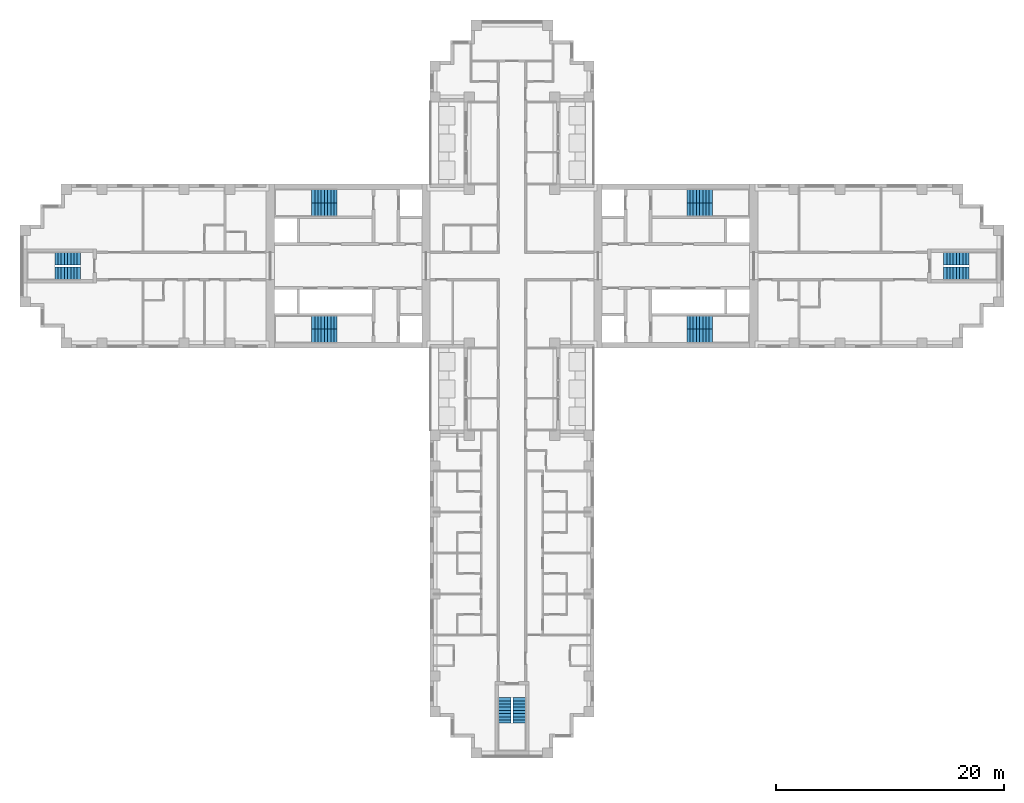
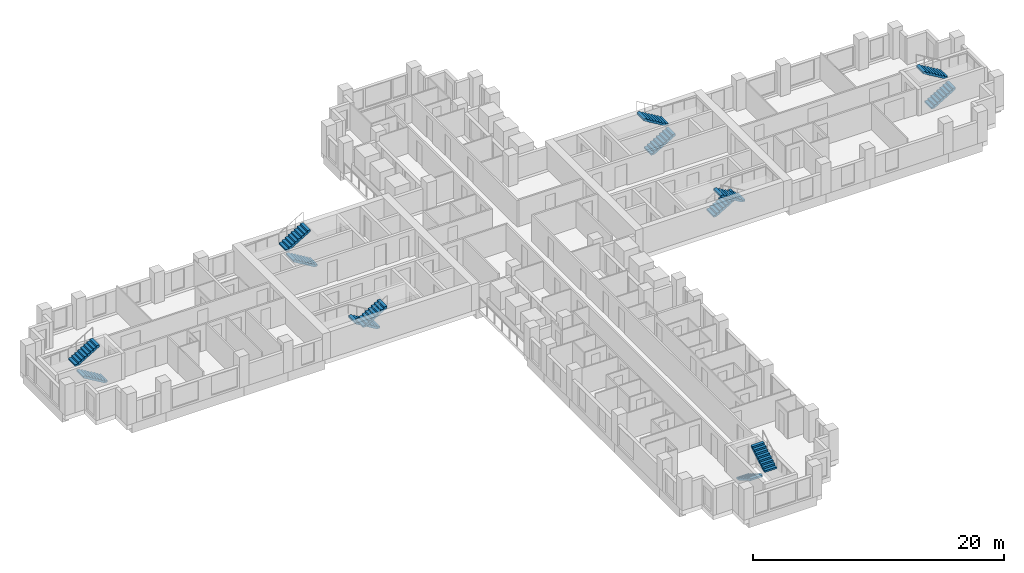
# One storey, part 12 of 14: 14 stair flights, 7 elements without a shape of their own.
"""IFC4 building model written with IfcOpenShell, lengths in metres."""

from ifc_helpers import new_model, si_unit, direction, frame, origin, place, context, subcontext, project, spatial, polyline, outline, extrude, material, type_object, element, aggregate, save


model = new_model("IFC4")

# Units and contexts
model_context = context("Model", 3, precision=1e-05, world=origin(), true_north=direction((0.0, 1.0)))
body_context = subcontext(model_context, "Body", "Model", "MODEL_VIEW")
ifc_project = project(units=[si_unit("LENGTHUNIT", "METRE"), si_unit("AREAUNIT", "SQUARE_METRE"), si_unit("VOLUMEUNIT", "CUBIC_METRE"), si_unit("PLANEANGLEUNIT", "RADIAN"), si_unit("MASSUNIT", "GRAM", prefix="KILO")], contexts=[model_context])

# Site, building, storey
site_placement = place(None, origin())
site = spatial("IfcSite", under=ifc_project, at=site_placement, CompositionType="ELEMENT")
building_placement = place(site_placement, origin())
building = spatial("IfcBuilding", under=site, at=building_placement, Name="Fustian Cross Tower", CompositionType="ELEMENT")
storey_placement = place(building_placement, frame((0.0, 0.0, 72.89990234375)))
storey = spatial("IfcBuildingStorey", under=building, at=storey_placement, Name="L22", CompositionType="ELEMENT", Elevation=72.89990234375)

# Stair, stair flights
ifc_material_1 = material(Name="Concrete C50/60", Category="concrete")
stair_type_1 = type_object("IfcStairType", Name="STAIR 1100 HALF TURN", PredefinedType="HALF_TURN_STAIR", material=ifc_material_1)
stair_1_placement = place(storey_placement, origin())
stair_1 = element("IfcStair", 1, at=stair_1_placement, inside=storey, type_object=stair_type_1, Name="Stair ST6", PredefinedType="HALF_TURN_STAIR")
ifc_material_2 = material(Name="Concrete C50/60", Category="concrete")
stair_flight_type_1 = type_object("IfcStairFlightType", Name="STAIR FLIGHT 1100", PredefinedType="STRAIGHT", material=ifc_material_2)
stair_flight_1_placement = place(storey_placement, frame((-0.64990234375, -37.89990234375, 0.0), z_axis=(0.0, 0.0, 1.0), x_axis=(0.0, -1.0, 0.0)))
stair_flight_1 = element("IfcStairFlight", 2, at=stair_flight_1_placement, type_object=stair_flight_type_1, Name="ST6 flight 1", NumberOfRisers=9, NumberOfTreads=8, PredefinedType="STRAIGHT", RiserHeight=0.166666667, TreadLength=0.28, context=body_context, shape_type="SweptSolid", body=[
    extrude(outline(polyline([(0.0, 0.0), (0.0, 0.166748046875), (0.280029296875, 0.166748046875), (0.280029296875, 0.333251953125), (0.56005859375, 0.333251953125), (0.56005859375, 0.5), (0.840087890625, 0.5), (0.840087890625, 0.666748046875), (1.1201171875, 0.666748046875), (1.1201171875, 0.833251953125), (1.39990234375, 0.833251953125), (1.39990234375, 1.0), (1.679931640625, 1.0), (1.679931640625, 1.166748046875), (1.9599609375, 1.166748046875), (1.9599609375, 1.333251953125), (2.239990234375, 1.333251953125), (2.239990234375, 1.5), (2.239990234375, 1.158935546875), (0.29296875, 0.0), (0.0, 0.0)])), frame((0.0, 0.550048828125, 0.0), z_axis=(0.0, -1.0, 0.0), x_axis=(1.0, 0.0, 0.0)), (0.0, 0.0, 1.0), 1.10009765625),
])
stair_flight_2_placement = place(storey_placement, frame((0.64990234375, -40.139892578125, 1.5), z_axis=(0.0, 0.0, 1.0), x_axis=(0.0, 1.0, 0.0)))
stair_flight_2 = element("IfcStairFlight", 3, at=stair_flight_2_placement, type_object=stair_flight_type_1, Name="ST6 flight 2", NumberOfRisers=9, NumberOfTreads=8, PredefinedType="STRAIGHT", RiserHeight=0.166666667, TreadLength=0.28, context=body_context, shape_type="SweptSolid", body=[
    extrude(outline(polyline([(0.0, 0.0), (0.0, 0.166748046875), (0.280029296875, 0.166748046875), (0.280029296875, 0.333251953125), (0.56005859375, 0.333251953125), (0.56005859375, 0.5), (0.840087890625, 0.5), (0.840087890625, 0.666748046875), (1.1201171875, 0.666748046875), (1.1201171875, 0.833251953125), (1.39990234375, 0.833251953125), (1.39990234375, 1.0), (1.679931640625, 1.0), (1.679931640625, 1.166748046875), (1.9599609375, 1.166748046875), (1.9599609375, 1.333251953125), (2.239990234375, 1.333251953125), (2.239990234375, 1.5), (2.239990234375, 1.158935546875), (0.29296875, 0.0), (0.0, 0.0)])), frame((0.0, 0.550048828125, 0.0), z_axis=(0.0, -1.0, 0.0), x_axis=(1.0, 0.0, 0.0)), (0.0, 0.0, 1.0), 1.10009765625),
])
aggregate(stair_1, [stair_flight_1, stair_flight_2])

stair_2_placement = place(storey_placement, origin())
stair_2 = element("IfcStair", 4, at=stair_2_placement, inside=storey, type_object=stair_type_1, Name="Stair ST8", PredefinedType="HALF_TURN_STAIR")
stair_flight_3_placement = place(storey_placement, frame((37.89990234375, -0.64990234375, 0.0), z_axis=(0.0, 0.0, 1.0), x_axis=(1.0, 0.0, 0.0)))
stair_flight_3 = element("IfcStairFlight", 5, at=stair_flight_3_placement, type_object=stair_flight_type_1, Name="ST8 flight 1", NumberOfRisers=9, NumberOfTreads=8, PredefinedType="STRAIGHT", RiserHeight=0.166666667, TreadLength=0.28, context=body_context, shape_type="SweptSolid", body=[
    extrude(outline(polyline([(0.0, 0.0), (0.0, 0.166748046875), (0.280029296875, 0.166748046875), (0.280029296875, 0.333251953125), (0.56005859375, 0.333251953125), (0.56005859375, 0.5), (0.840087890625, 0.5), (0.840087890625, 0.666748046875), (1.1201171875, 0.666748046875), (1.1201171875, 0.833251953125), (1.39990234375, 0.833251953125), (1.39990234375, 1.0), (1.679931640625, 1.0), (1.679931640625, 1.166748046875), (1.9599609375, 1.166748046875), (1.9599609375, 1.333251953125), (2.239990234375, 1.333251953125), (2.239990234375, 1.5), (2.239990234375, 1.158935546875), (0.29296875, 0.0), (0.0, 0.0)])), frame((0.0, 0.550048828125, 0.0), z_axis=(0.0, -1.0, 0.0), x_axis=(1.0, 0.0, 0.0)), (0.0, 0.0, 1.0), 1.10009765625),
])
stair_flight_4_placement = place(storey_placement, frame((40.139892578125, 0.64990234375, 1.5), z_axis=(0.0, 0.0, 1.0), x_axis=(-1.0, 0.0, 0.0)))
stair_flight_4 = element("IfcStairFlight", 6, at=stair_flight_4_placement, type_object=stair_flight_type_1, Name="ST8 flight 2", NumberOfRisers=9, NumberOfTreads=8, PredefinedType="STRAIGHT", RiserHeight=0.166666667, TreadLength=0.28, context=body_context, shape_type="SweptSolid", body=[
    extrude(outline(polyline([(0.0, 0.0), (0.0, 0.166748046875), (0.280029296875, 0.166748046875), (0.280029296875, 0.333251953125), (0.56005859375, 0.333251953125), (0.56005859375, 0.5), (0.840087890625, 0.5), (0.840087890625, 0.666748046875), (1.1201171875, 0.666748046875), (1.1201171875, 0.833251953125), (1.39990234375, 0.833251953125), (1.39990234375, 1.0), (1.679931640625, 1.0), (1.679931640625, 1.166748046875), (1.9599609375, 1.166748046875), (1.9599609375, 1.333251953125), (2.239990234375, 1.333251953125), (2.239990234375, 1.5), (2.239990234375, 1.158935546875), (0.29296875, 0.0), (0.0, 0.0)])), frame((0.0, 0.550048828125, 0.0), z_axis=(0.0, -1.0, 0.0), x_axis=(1.0, 0.0, 0.0)), (0.0, 0.0, 1.0), 1.10009765625),
])
aggregate(stair_2, [stair_flight_3, stair_flight_4])

stair_3_placement = place(storey_placement, origin())
stair_3 = element("IfcStair", 7, at=stair_3_placement, inside=storey, type_object=stair_type_1, Name="Stair ST9", PredefinedType="HALF_TURN_STAIR")
stair_flight_5_placement = place(storey_placement, frame((-37.89990234375, -0.64990234375, 0.0), z_axis=(0.0, 0.0, 1.0), x_axis=(-1.0, 0.0, 0.0)))
stair_flight_5 = element("IfcStairFlight", 8, at=stair_flight_5_placement, type_object=stair_flight_type_1, Name="ST9 flight 1", NumberOfRisers=9, NumberOfTreads=8, PredefinedType="STRAIGHT", RiserHeight=0.166666667, TreadLength=0.28, context=body_context, shape_type="SweptSolid", body=[
    extrude(outline(polyline([(0.0, 0.0), (0.0, 0.166748046875), (0.280029296875, 0.166748046875), (0.280029296875, 0.333251953125), (0.56005859375, 0.333251953125), (0.56005859375, 0.5), (0.840087890625, 0.5), (0.840087890625, 0.666748046875), (1.1201171875, 0.666748046875), (1.1201171875, 0.833251953125), (1.39990234375, 0.833251953125), (1.39990234375, 1.0), (1.679931640625, 1.0), (1.679931640625, 1.166748046875), (1.9599609375, 1.166748046875), (1.9599609375, 1.333251953125), (2.239990234375, 1.333251953125), (2.239990234375, 1.5), (2.239990234375, 1.158935546875), (0.29296875, 0.0), (0.0, 0.0)])), frame((0.0, 0.550048828125, 0.0), z_axis=(0.0, -1.0, 0.0), x_axis=(1.0, 0.0, 0.0)), (0.0, 0.0, 1.0), 1.10009765625),
])
stair_flight_6_placement = place(storey_placement, frame((-40.139892578125, 0.64990234375, 1.5), z_axis=(0.0, 0.0, 1.0), x_axis=(1.0, 0.0, 0.0)))
stair_flight_6 = element("IfcStairFlight", 9, at=stair_flight_6_placement, type_object=stair_flight_type_1, Name="ST9 flight 2", NumberOfRisers=9, NumberOfTreads=8, PredefinedType="STRAIGHT", RiserHeight=0.166666667, TreadLength=0.28, context=body_context, shape_type="SweptSolid", body=[
    extrude(outline(polyline([(0.0, 0.0), (0.0, 0.166748046875), (0.280029296875, 0.166748046875), (0.280029296875, 0.333251953125), (0.56005859375, 0.333251953125), (0.56005859375, 0.5), (0.840087890625, 0.5), (0.840087890625, 0.666748046875), (1.1201171875, 0.666748046875), (1.1201171875, 0.833251953125), (1.39990234375, 0.833251953125), (1.39990234375, 1.0), (1.679931640625, 1.0), (1.679931640625, 1.166748046875), (1.9599609375, 1.166748046875), (1.9599609375, 1.333251953125), (2.239990234375, 1.333251953125), (2.239990234375, 1.5), (2.239990234375, 1.158935546875), (0.29296875, 0.0), (0.0, 0.0)])), frame((0.0, 0.550048828125, 0.0), z_axis=(0.0, -1.0, 0.0), x_axis=(1.0, 0.0, 0.0)), (0.0, 0.0, 1.0), 1.10009765625),
])
aggregate(stair_3, [stair_flight_5, stair_flight_6])

ifc_material_3 = material(Name="Concrete C50/60", Category="concrete")
stair_type_2 = type_object("IfcStairType", Name="STAIR 1150 HALF TURN", PredefinedType="HALF_TURN_STAIR", material=ifc_material_3)
stair_4_placement = place(storey_placement, origin())
stair_4 = element("IfcStair", 10, at=stair_4_placement, inside=storey, type_object=stair_type_2, Name="Stair ST1", PredefinedType="HALF_TURN_STAIR")
ifc_material_4 = material(Name="Concrete C50/60", Category="concrete")
stair_flight_type_2 = type_object("IfcStairFlightType", Name="STAIR FLIGHT 1150", PredefinedType="STRAIGHT", material=ifc_material_4)
stair_flight_7_placement = place(storey_placement, frame((15.35009765625, 4.97509765625, 0.0), z_axis=(0.0, 0.0, 1.0), x_axis=(1.0, 0.0, 0.0)))
stair_flight_7 = element("IfcStairFlight", 11, at=stair_flight_7_placement, type_object=stair_flight_type_2, Name="ST1 flight 1", NumberOfRisers=9, NumberOfTreads=8, PredefinedType="STRAIGHT", RiserHeight=0.166666667, TreadLength=0.28, context=body_context, shape_type="SweptSolid", body=[
    extrude(outline(polyline([(0.0, 0.0), (0.0, 0.166748046875), (0.280029296875, 0.166748046875), (0.280029296875, 0.333251953125), (0.56005859375, 0.333251953125), (0.56005859375, 0.5), (0.840087890625, 0.5), (0.840087890625, 0.666748046875), (1.1201171875, 0.666748046875), (1.1201171875, 0.833251953125), (1.39990234375, 0.833251953125), (1.39990234375, 1.0), (1.679931640625, 1.0), (1.679931640625, 1.166748046875), (1.9599609375, 1.166748046875), (1.9599609375, 1.333251953125), (2.239990234375, 1.333251953125), (2.239990234375, 1.5), (2.239990234375, 1.158935546875), (0.29296875, 0.0), (0.0, 0.0)])), frame((0.0, 0.574951171875, 0.0), z_axis=(0.0, -1.0, 0.0), x_axis=(1.0, 0.0, 0.0)), (0.0, 0.0, 1.0), 1.14990234375),
])
stair_flight_8_placement = place(storey_placement, frame((17.590087890625, 6.125, 1.5), z_axis=(0.0, 0.0, 1.0), x_axis=(-1.0, 0.0, 0.0)))
stair_flight_8 = element("IfcStairFlight", 12, at=stair_flight_8_placement, type_object=stair_flight_type_2, Name="ST1 flight 2", NumberOfRisers=9, NumberOfTreads=8, PredefinedType="STRAIGHT", RiserHeight=0.166666667, TreadLength=0.28, context=body_context, shape_type="SweptSolid", body=[
    extrude(outline(polyline([(0.0, 0.0), (0.0, 0.166748046875), (0.280029296875, 0.166748046875), (0.280029296875, 0.333251953125), (0.56005859375, 0.333251953125), (0.56005859375, 0.5), (0.840087890625, 0.5), (0.840087890625, 0.666748046875), (1.1201171875, 0.666748046875), (1.1201171875, 0.833251953125), (1.39990234375, 0.833251953125), (1.39990234375, 1.0), (1.679931640625, 1.0), (1.679931640625, 1.166748046875), (1.9599609375, 1.166748046875), (1.9599609375, 1.333251953125), (2.239990234375, 1.333251953125), (2.239990234375, 1.5), (2.239990234375, 1.158935546875), (0.29296875, 0.0), (0.0, 0.0)])), frame((0.0, 0.574951171875, 0.0), z_axis=(0.0, -1.0, 0.0), x_axis=(1.0, 0.0, 0.0)), (0.0, 0.0, 1.0), 1.14990234375),
])
aggregate(stair_4, [stair_flight_7, stair_flight_8])

stair_5_placement = place(storey_placement, origin())
stair_5 = element("IfcStair", 13, at=stair_5_placement, inside=storey, type_object=stair_type_2, Name="Stair ST2", PredefinedType="HALF_TURN_STAIR")
stair_flight_9_placement = place(storey_placement, frame((15.35009765625, -4.97509765625, 0.0), z_axis=(0.0, 0.0, 1.0), x_axis=(1.0, 0.0, 0.0)))
stair_flight_9 = element("IfcStairFlight", 14, at=stair_flight_9_placement, type_object=stair_flight_type_2, Name="ST2 flight 1", NumberOfRisers=9, NumberOfTreads=8, PredefinedType="STRAIGHT", RiserHeight=0.166666667, TreadLength=0.28, context=body_context, shape_type="SweptSolid", body=[
    extrude(outline(polyline([(0.0, 0.0), (0.0, 0.166748046875), (0.280029296875, 0.166748046875), (0.280029296875, 0.333251953125), (0.56005859375, 0.333251953125), (0.56005859375, 0.5), (0.840087890625, 0.5), (0.840087890625, 0.666748046875), (1.1201171875, 0.666748046875), (1.1201171875, 0.833251953125), (1.39990234375, 0.833251953125), (1.39990234375, 1.0), (1.679931640625, 1.0), (1.679931640625, 1.166748046875), (1.9599609375, 1.166748046875), (1.9599609375, 1.333251953125), (2.239990234375, 1.333251953125), (2.239990234375, 1.5), (2.239990234375, 1.158935546875), (0.29296875, 0.0), (0.0, 0.0)])), frame((0.0, 0.574951171875, 0.0), z_axis=(0.0, -1.0, 0.0), x_axis=(1.0, 0.0, 0.0)), (0.0, 0.0, 1.0), 1.14990234375),
])
stair_flight_10_placement = place(storey_placement, frame((17.590087890625, -6.125, 1.5), z_axis=(0.0, 0.0, 1.0), x_axis=(-1.0, 0.0, 0.0)))
stair_flight_10 = element("IfcStairFlight", 15, at=stair_flight_10_placement, type_object=stair_flight_type_2, Name="ST2 flight 2", NumberOfRisers=9, NumberOfTreads=8, PredefinedType="STRAIGHT", RiserHeight=0.166666667, TreadLength=0.28, context=body_context, shape_type="SweptSolid", body=[
    extrude(outline(polyline([(0.0, 0.0), (0.0, 0.166748046875), (0.280029296875, 0.166748046875), (0.280029296875, 0.333251953125), (0.56005859375, 0.333251953125), (0.56005859375, 0.5), (0.840087890625, 0.5), (0.840087890625, 0.666748046875), (1.1201171875, 0.666748046875), (1.1201171875, 0.833251953125), (1.39990234375, 0.833251953125), (1.39990234375, 1.0), (1.679931640625, 1.0), (1.679931640625, 1.166748046875), (1.9599609375, 1.166748046875), (1.9599609375, 1.333251953125), (2.239990234375, 1.333251953125), (2.239990234375, 1.5), (2.239990234375, 1.158935546875), (0.29296875, 0.0), (0.0, 0.0)])), frame((0.0, 0.574951171875, 0.0), z_axis=(0.0, -1.0, 0.0), x_axis=(1.0, 0.0, 0.0)), (0.0, 0.0, 1.0), 1.14990234375),
])
aggregate(stair_5, [stair_flight_9, stair_flight_10])

stair_6_placement = place(storey_placement, origin())
stair_6 = element("IfcStair", 16, at=stair_6_placement, inside=storey, type_object=stair_type_2, Name="Stair ST3", PredefinedType="HALF_TURN_STAIR")
stair_flight_11_placement = place(storey_placement, frame((-15.35009765625, 4.97509765625, 0.0), z_axis=(0.0, 0.0, 1.0), x_axis=(-1.0, 0.0, 0.0)))
stair_flight_11 = element("IfcStairFlight", 17, at=stair_flight_11_placement, type_object=stair_flight_type_2, Name="ST3 flight 1", NumberOfRisers=9, NumberOfTreads=8, PredefinedType="STRAIGHT", RiserHeight=0.166666667, TreadLength=0.28, context=body_context, shape_type="SweptSolid", body=[
    extrude(outline(polyline([(0.0, 0.0), (0.0, 0.166748046875), (0.280029296875, 0.166748046875), (0.280029296875, 0.333251953125), (0.56005859375, 0.333251953125), (0.56005859375, 0.5), (0.840087890625, 0.5), (0.840087890625, 0.666748046875), (1.1201171875, 0.666748046875), (1.1201171875, 0.833251953125), (1.39990234375, 0.833251953125), (1.39990234375, 1.0), (1.679931640625, 1.0), (1.679931640625, 1.166748046875), (1.9599609375, 1.166748046875), (1.9599609375, 1.333251953125), (2.239990234375, 1.333251953125), (2.239990234375, 1.5), (2.239990234375, 1.158935546875), (0.29296875, 0.0), (0.0, 0.0)])), frame((0.0, 0.574951171875, 0.0), z_axis=(0.0, -1.0, 0.0), x_axis=(1.0, 0.0, 0.0)), (0.0, 0.0, 1.0), 1.14990234375),
])
stair_flight_12_placement = place(storey_placement, frame((-17.590087890625, 6.125, 1.5), z_axis=(0.0, 0.0, 1.0), x_axis=(1.0, 0.0, 0.0)))
stair_flight_12 = element("IfcStairFlight", 18, at=stair_flight_12_placement, type_object=stair_flight_type_2, Name="ST3 flight 2", NumberOfRisers=9, NumberOfTreads=8, PredefinedType="STRAIGHT", RiserHeight=0.166666667, TreadLength=0.28, context=body_context, shape_type="SweptSolid", body=[
    extrude(outline(polyline([(0.0, 0.0), (0.0, 0.166748046875), (0.280029296875, 0.166748046875), (0.280029296875, 0.333251953125), (0.56005859375, 0.333251953125), (0.56005859375, 0.5), (0.840087890625, 0.5), (0.840087890625, 0.666748046875), (1.1201171875, 0.666748046875), (1.1201171875, 0.833251953125), (1.39990234375, 0.833251953125), (1.39990234375, 1.0), (1.679931640625, 1.0), (1.679931640625, 1.166748046875), (1.9599609375, 1.166748046875), (1.9599609375, 1.333251953125), (2.239990234375, 1.333251953125), (2.239990234375, 1.5), (2.239990234375, 1.158935546875), (0.29296875, 0.0), (0.0, 0.0)])), frame((0.0, 0.574951171875, 0.0), z_axis=(0.0, -1.0, 0.0), x_axis=(1.0, 0.0, 0.0)), (0.0, 0.0, 1.0), 1.14990234375),
])
aggregate(stair_6, [stair_flight_11, stair_flight_12])

stair_7_placement = place(storey_placement, origin())
stair_7 = element("IfcStair", 19, at=stair_7_placement, inside=storey, type_object=stair_type_2, Name="Stair ST4", PredefinedType="HALF_TURN_STAIR")
stair_flight_13_placement = place(storey_placement, frame((-15.35009765625, -4.97509765625, 0.0), z_axis=(0.0, 0.0, 1.0), x_axis=(-1.0, 0.0, 0.0)))
stair_flight_13 = element("IfcStairFlight", 20, at=stair_flight_13_placement, type_object=stair_flight_type_2, Name="ST4 flight 1", NumberOfRisers=9, NumberOfTreads=8, PredefinedType="STRAIGHT", RiserHeight=0.166666667, TreadLength=0.28, context=body_context, shape_type="SweptSolid", body=[
    extrude(outline(polyline([(0.0, 0.0), (0.0, 0.166748046875), (0.280029296875, 0.166748046875), (0.280029296875, 0.333251953125), (0.56005859375, 0.333251953125), (0.56005859375, 0.5), (0.840087890625, 0.5), (0.840087890625, 0.666748046875), (1.1201171875, 0.666748046875), (1.1201171875, 0.833251953125), (1.39990234375, 0.833251953125), (1.39990234375, 1.0), (1.679931640625, 1.0), (1.679931640625, 1.166748046875), (1.9599609375, 1.166748046875), (1.9599609375, 1.333251953125), (2.239990234375, 1.333251953125), (2.239990234375, 1.5), (2.239990234375, 1.158935546875), (0.29296875, 0.0), (0.0, 0.0)])), frame((0.0, 0.574951171875, 0.0), z_axis=(0.0, -1.0, 0.0), x_axis=(1.0, 0.0, 0.0)), (0.0, 0.0, 1.0), 1.14990234375),
])
stair_flight_14_placement = place(storey_placement, frame((-17.590087890625, -6.125, 1.5), z_axis=(0.0, 0.0, 1.0), x_axis=(1.0, 0.0, 0.0)))
stair_flight_14 = element("IfcStairFlight", 21, at=stair_flight_14_placement, type_object=stair_flight_type_2, Name="ST4 flight 2", NumberOfRisers=9, NumberOfTreads=8, PredefinedType="STRAIGHT", RiserHeight=0.166666667, TreadLength=0.28, context=body_context, shape_type="SweptSolid", body=[
    extrude(outline(polyline([(0.0, 0.0), (0.0, 0.166748046875), (0.280029296875, 0.166748046875), (0.280029296875, 0.333251953125), (0.56005859375, 0.333251953125), (0.56005859375, 0.5), (0.840087890625, 0.5), (0.840087890625, 0.666748046875), (1.1201171875, 0.666748046875), (1.1201171875, 0.833251953125), (1.39990234375, 0.833251953125), (1.39990234375, 1.0), (1.679931640625, 1.0), (1.679931640625, 1.166748046875), (1.9599609375, 1.166748046875), (1.9599609375, 1.333251953125), (2.239990234375, 1.333251953125), (2.239990234375, 1.5), (2.239990234375, 1.158935546875), (0.29296875, 0.0), (0.0, 0.0)])), frame((0.0, 0.574951171875, 0.0), z_axis=(0.0, -1.0, 0.0), x_axis=(1.0, 0.0, 0.0)), (0.0, 0.0, 1.0), 1.14990234375),
])
aggregate(stair_7, [stair_flight_13, stair_flight_14])

save(model, "model.ifc")
